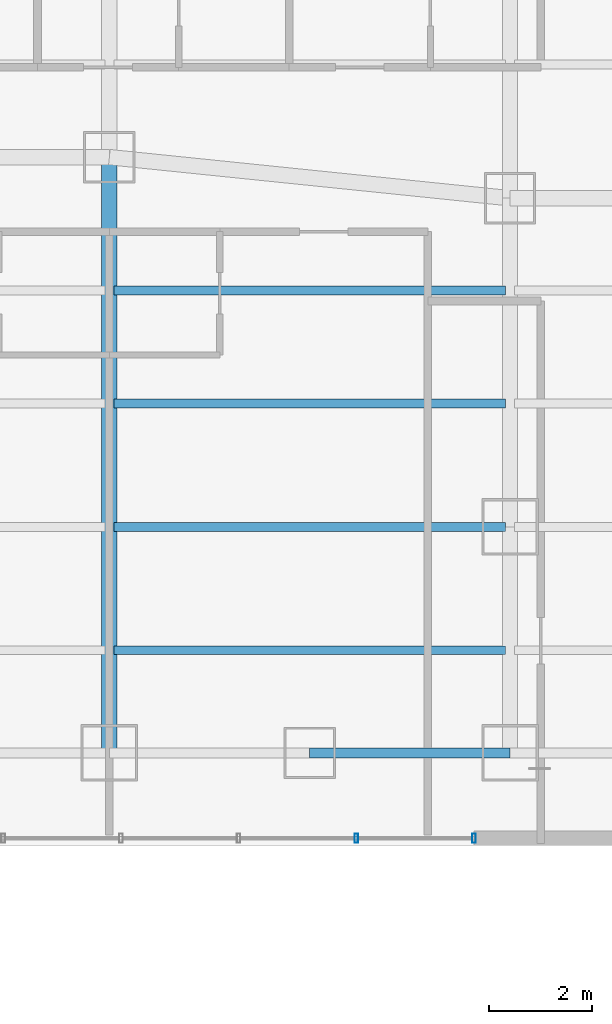
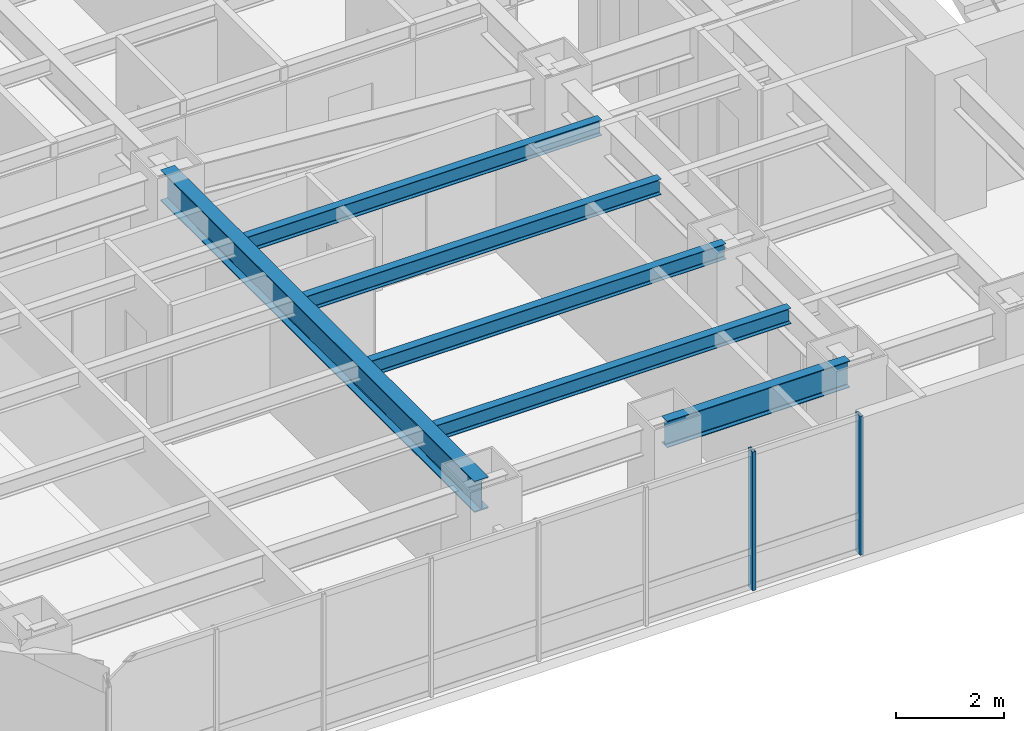
# One storey, part 6 of 38: 6 beams, 2 members, 1 element without a shape of its own.
"""IFC4 building model written with IfcOpenShell, lengths in metres."""

from ifc_helpers import new_model, si_unit, direction, frame, origin, origin_2d, place, context, subcontext, project, spatial, hollow_rectangle, i_section, extrude, material, layer, layer_set, material_profile, profile_set, type_object, element, aggregate, save


model = new_model("IFC4")

# Units and contexts
model_context = context("Model", 3, precision=1e-05, world=origin(), true_north=direction((0.0, 1.0)))
body_context = subcontext(model_context, "Body", "Model", "MODEL_VIEW")
ifc_project = project(units=[si_unit("LENGTHUNIT", "METRE"), si_unit("AREAUNIT", "SQUARE_METRE"), si_unit("VOLUMEUNIT", "CUBIC_METRE"), si_unit("PLANEANGLEUNIT", "RADIAN"), si_unit("MASSUNIT", "GRAM", prefix="KILO")], contexts=[model_context])

# Site, building, storey
site_placement = place(None, origin())
site = spatial("IfcSite", under=ifc_project, at=site_placement, CompositionType="ELEMENT")
building_placement = place(site_placement, origin())
building = spatial("IfcBuilding", under=site, at=building_placement, Name="Hatsunagi Terrace Concourse", CompositionType="ELEMENT")
storey_placement = place(building_placement, frame((0.0, 0.0, 60.050048828125)))
storey = spatial("IfcBuildingStorey", under=building, at=storey_placement, Name="L15", CompositionType="ELEMENT", Elevation=60.050048828125)

# Curtain wall, members
ifc_material_1 = material(Name="Anodised Aluminium Alloy 6063-T5", Category="aluminium")
ifc_layer = layer(ifc_material_1, 0.199951171875)
ifc_layer_set = layer_set([ifc_layer], Name="HotelFacade_CW02")
curtain_wall_type = type_object("IfcCurtainWallType", Name="HotelFacade_CW02", PredefinedType="NOTDEFINED", material=ifc_layer_set)
curtain_wall_placement = place(storey_placement, origin())
curtain_wall = element("IfcCurtainWall", 1, at=curtain_wall_placement, inside=storey, type_object=curtain_wall_type, Name="Unitised Curtain Wall CW-02 CW-L15-07", PredefinedType="NOTDEFINED")
ifc_material_2 = material(Name="Anodised Aluminium Alloy 6063-T5", Category="aluminium")
ifc_material_profile_1 = material_profile(ifc_material_2, hollow_rectangle(XDim=0.070068359375, YDim=0.179931640625, WallThickness=0.00390625, at=origin_2d()), Name="ALU-MUL-180x70x4")
ifc_profile_set_1 = profile_set([ifc_material_profile_1], Name="Anodised Aluminium Alloy 6063-T5")
member_type = type_object("IfcMemberType", Name="CurtainWallMullion_180x70", PredefinedType="MULLION", material=ifc_profile_set_1)
member_1_placement = place(storey_placement, frame((18.5, 23.5400390625, 0.0), z_axis=(0.0, 0.0, 1.0), x_axis=(-1.0, 0.0, 0.0)))
member_1 = element("IfcMember", 2, at=member_1_placement, type_object=member_type, Name="Curtain Wall Mullion MUL-02", PredefinedType="MULLION", context=body_context, shape_type="SweptSolid", body=[
    extrude(hollow_rectangle(XDim=0.070068359375, YDim=0.179931640625, WallThickness=0.00390625, at=origin_2d()), origin(), (0.0, 0.0, 1.0), 3.1298828125),
])
member_2_placement = place(storey_placement, frame((16.2080078125, 23.5400390625, 0.0), z_axis=(0.0, 0.0, 1.0), x_axis=(-1.0, 0.0, 0.0)))
member_2 = element("IfcMember", 3, at=member_2_placement, type_object=member_type, Name="Curtain Wall Mullion MUL-02", PredefinedType="MULLION", context=body_context, shape_type="SweptSolid", body=[
    extrude(hollow_rectangle(XDim=0.070068359375, YDim=0.179931640625, WallThickness=0.00390625, at=origin_2d()), origin(), (0.0, 0.0, 1.0), 3.1298828125),
])
aggregate(curtain_wall, [member_1, member_2])

# Beams
ifc_material_3 = material(Name="Steel SN490B", Category="steel")
ifc_material_profile_2 = material_profile(ifc_material_3, i_section(OverallWidth=0.300048828125, OverallDepth=0.699951171875, WebThickness=0.012939453125, FlangeThickness=0.02392578125, FilletRadius=0.02197265625, at=origin_2d()), Name="H-700x300x13x24")
ifc_profile_set_2 = profile_set([ifc_material_profile_2], Name="Steel SN490B")
beam_type_1 = type_object("IfcBeamType", Name="HotelFloorGirder_H_700x300", PredefinedType="BEAM", material=ifc_profile_set_2)
beam_1_placement = place(storey_placement, frame((11.39990234375, 25.199951171875, 2.780029296875), z_axis=(0.0, 1.0, 0.0), x_axis=(-1.0, 0.0, 0.0)))
element("IfcBeam", 4, at=beam_1_placement, inside=storey, type_object=beam_type_1, Name="Beam G-04 BM-L15-NS-11-25", PredefinedType="BEAM", context=body_context, shape_type="SweptSolid", body=[
    extrude(i_section(OverallWidth=0.300048828125, OverallDepth=0.699951171875, WebThickness=0.012939453125, FlangeThickness=0.02392578125, FilletRadius=0.02197265625, at=origin_2d()), origin(), (0.0, 0.0, 1.0), 11.60009765625),
])
ifc_material_4 = material(Name="Steel SN490B", Category="steel")
ifc_material_profile_3 = material_profile(ifc_material_4, i_section(OverallWidth=0.175048828125, OverallDepth=0.35009765625, WebThickness=0.007080078125, FlangeThickness=0.010986328125, FilletRadius=0.012939453125, at=origin_2d()), Name="H-350x175x7x11")
ifc_profile_set_3 = profile_set([ifc_material_profile_3], Name="Steel SN490B")
beam_type_2 = type_object("IfcBeamType", Name="HotelJoist_H_350x175", PredefinedType="JOIST", material=ifc_profile_set_3)
for number, where, z_axis, x_axis, name in (
    (5, (11.485107421875, 27.199951171875, 2.954833984375), (1.0, 0.0, 0.0), (0.0, 1.0, 0.0), "Beam J-02 J-L15-W-11-272"),
    (6, (11.485107421875, 29.60009765625, 2.954833984375), (1.0, 0.0, 0.0), (0.0, 1.0, 0.0), "Beam J-02 J-L15-W-11-296"),
    (7, (11.485107421875, 32.0, 2.954833984375), (1.0, 0.0, 0.0), (0.0, 1.0, 0.0), "Beam J-02 J-L15-W-11-320"),
    (8, (11.485107421875, 34.199951171875, 2.954833984375), (1.0, 0.0, 0.0), (0.0, 1.0, 0.0), "Beam J-02 J-L15-W-11-342"),
):
    element("IfcBeam", number, at=place(storey_placement, frame(where, z_axis=z_axis, x_axis=x_axis)), inside=storey, type_object=beam_type_2, Name=name, PredefinedType="JOIST", context=body_context, shape_type="SweptSolid", body=[
        extrude(i_section(OverallWidth=0.175048828125, OverallDepth=0.35009765625, WebThickness=0.007080078125, FlangeThickness=0.010986328125, FilletRadius=0.012939453125, at=origin_2d()), origin(), (0.0, 0.0, 1.0), 7.6298828125),
    ])
ifc_material_5 = material(Name="Steel SN490B", Category="steel")
ifc_material_profile_4 = material_profile(ifc_material_5, i_section(OverallWidth=0.199951171875, OverallDepth=0.60009765625, WebThickness=0.010986328125, FlangeThickness=0.01708984375, FilletRadius=0.01806640625, at=origin_2d()), Name="H-600x200x11x17")
ifc_profile_set_4 = profile_set([ifc_material_profile_4], Name="Steel SN490B")
beam_type_3 = type_object("IfcBeamType", Name="PerimeterSpandrel_H_600x200", PredefinedType="SPANDREL", material=ifc_profile_set_4)
beam_2_placement = place(storey_placement, frame((15.300048828125, 25.199951171875, 2.829833984375), z_axis=(1.0, 0.0, 0.0), x_axis=(0.0, 1.0, 0.0)))
element("IfcBeam", 9, at=beam_2_placement, inside=storey, type_object=beam_type_3, Name="Beam SP-01 BM-L15-WS-15", PredefinedType="SPANDREL", context=body_context, shape_type="SweptSolid", body=[
    extrude(i_section(OverallWidth=0.199951171875, OverallDepth=0.60009765625, WebThickness=0.010986328125, FlangeThickness=0.01708984375, FilletRadius=0.01806640625, at=origin_2d()), origin(), (0.0, 0.0, 1.0), 3.89990234375),
])

save(model, "model.ifc")
